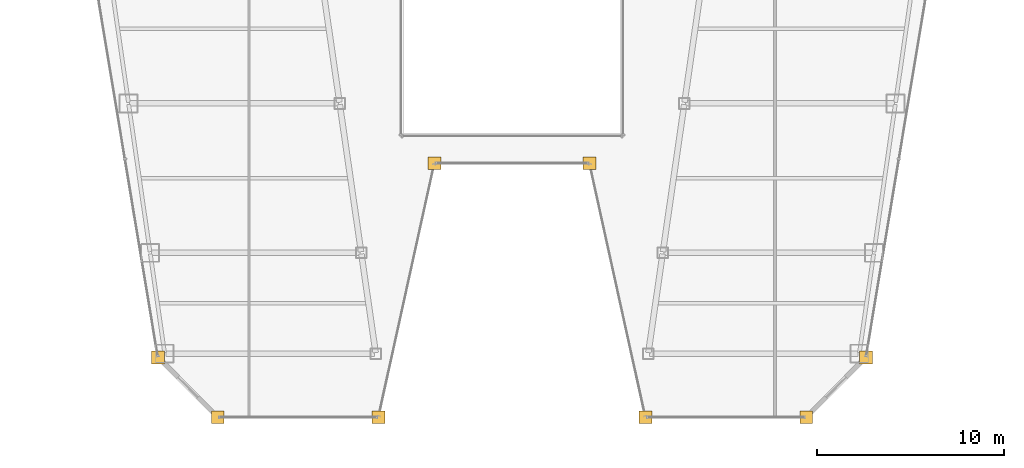
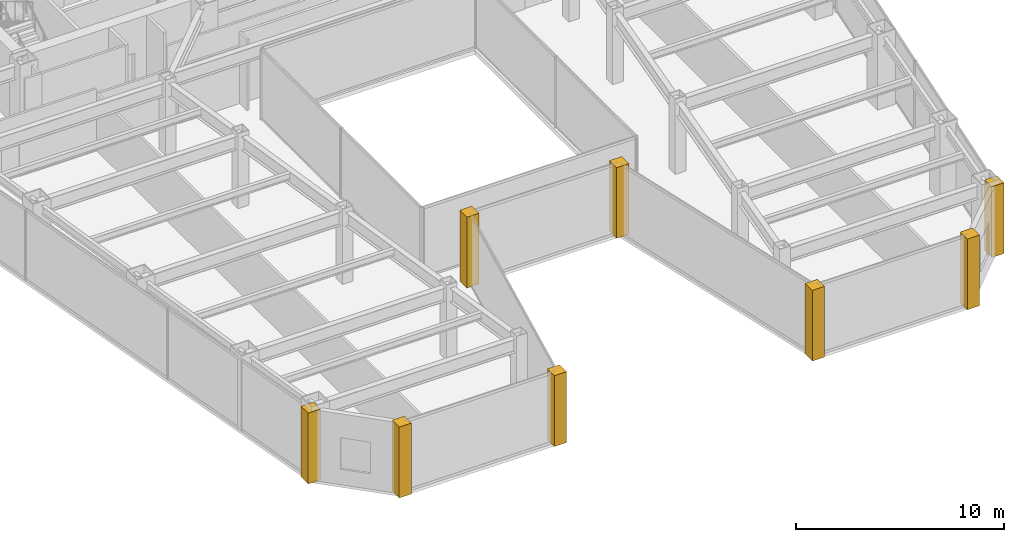
# One storey, part 35 of 37: 8 coverings.
"""IFC4 building model written with IfcOpenShell, lengths in metres."""

from ifc_helpers import new_model, si_unit, direction, frame, origin, place, context, subcontext, project, spatial, polyline, outline, extrude, material, layer, layer_set, type_object, element, save


model = new_model("IFC4")

# Units and contexts
model_context = context("Model", 3, precision=1e-05, world=origin(), true_north=direction((0.0, 1.0)))
body_context = subcontext(model_context, "Body", "Model", "MODEL_VIEW")
ifc_project = project(units=[si_unit("LENGTHUNIT", "METRE"), si_unit("AREAUNIT", "SQUARE_METRE"), si_unit("VOLUMEUNIT", "CUBIC_METRE"), si_unit("PLANEANGLEUNIT", "RADIAN"), si_unit("MASSUNIT", "GRAM", prefix="KILO")], contexts=[model_context])

# Site, building, storey
site_placement = place(None, origin())
site = spatial("IfcSite", under=ifc_project, at=site_placement, CompositionType="ELEMENT")
building_placement = place(site_placement, origin())
building = spatial("IfcBuilding", under=site, at=building_placement, Name="Saevonmaru Cultural Tower", CompositionType="ELEMENT")
storey_placement = place(building_placement, frame((0.0, 0.0, 106.0)))
storey = spatial("IfcBuildingStorey", under=building, at=storey_placement, Name="L22", CompositionType="ELEMENT", Elevation=106.0)

# Coverings
ifc_material = material(Name="Satin Bronze Anodised Aluminium", Category="aluminium")
ifc_layer = layer(ifc_material, 0.679931640625, Name="Satin Bronze Anodised Aluminium")
ifc_layer_set = layer_set([ifc_layer], Name="Satin Bronze Anodised Aluminium")
covering_type = type_object("IfcCoveringType", Name="CV-CORNER-CLAD", PredefinedType="CLADDING", material=ifc_layer_set)
covering_1_placement = place(storey_placement, origin())
element("IfcCovering", 1, at=covering_1_placement, inside=storey, type_object=covering_type, Name="L22 Tower Bronze Corner Cladding Pier 1", PredefinedType="CLADDING", context=body_context, shape_type="SweptSolid", body=[
    extrude(outline(polyline([(10.708984375, 10.06005859375), (11.388916015625, 10.06005859375), (11.388916015625, 10.739990234375), (10.708984375, 10.739990234375), (10.708984375, 10.06005859375)])), origin(), (0.0, 0.0, 1.0), 4.14990234375),
])
covering_2_placement = place(storey_placement, origin())
element("IfcCovering", 2, at=covering_2_placement, inside=storey, type_object=covering_type, Name="L22 Tower Bronze Corner Cladding Pier 2", PredefinedType="CLADDING", context=body_context, shape_type="SweptSolid", body=[
    extrude(outline(polyline([(13.908935546875, 6.860107421875), (14.589111328125, 6.860107421875), (14.589111328125, 7.5400390625), (13.908935546875, 7.5400390625), (13.908935546875, 6.860107421875)])), origin(), (0.0, 0.0, 1.0), 4.14990234375),
])
covering_3_placement = place(storey_placement, origin())
element("IfcCovering", 3, at=covering_3_placement, inside=storey, type_object=covering_type, Name="L22 Tower Bronze Corner Cladding Pier 3", PredefinedType="CLADDING", context=body_context, shape_type="SweptSolid", body=[
    extrude(outline(polyline([(22.509033203125, 6.860107421875), (23.18896484375, 6.860107421875), (23.18896484375, 7.5400390625), (22.509033203125, 7.5400390625), (22.509033203125, 6.860107421875)])), origin(), (0.0, 0.0, 1.0), 4.14990234375),
])
covering_4_placement = place(storey_placement, origin())
element("IfcCovering", 4, at=covering_4_placement, inside=storey, type_object=covering_type, Name="L22 Tower Bronze Corner Cladding Pier 4", PredefinedType="CLADDING", context=body_context, shape_type="SweptSolid", body=[
    extrude(outline(polyline([(25.509033203125, 20.4599609375), (26.18896484375, 20.4599609375), (26.18896484375, 21.139892578125), (25.509033203125, 21.139892578125), (25.509033203125, 20.4599609375)])), origin(), (0.0, 0.0, 1.0), 4.14990234375),
])
covering_5_placement = place(storey_placement, origin())
element("IfcCovering", 5, at=covering_5_placement, inside=storey, type_object=covering_type, Name="L22 Tower Bronze Corner Cladding Pier 5", PredefinedType="CLADDING", context=body_context, shape_type="SweptSolid", body=[
    extrude(outline(polyline([(33.81103515625, 20.4599609375), (34.490966796875, 20.4599609375), (34.490966796875, 21.139892578125), (33.81103515625, 21.139892578125), (33.81103515625, 20.4599609375)])), origin(), (0.0, 0.0, 1.0), 4.14990234375),
])
covering_6_placement = place(storey_placement, origin())
element("IfcCovering", 6, at=covering_6_placement, inside=storey, type_object=covering_type, Name="L22 Tower Bronze Corner Cladding Pier 6", PredefinedType="CLADDING", context=body_context, shape_type="SweptSolid", body=[
    extrude(outline(polyline([(36.81103515625, 6.860107421875), (37.490966796875, 6.860107421875), (37.490966796875, 7.5400390625), (36.81103515625, 7.5400390625), (36.81103515625, 6.860107421875)])), origin(), (0.0, 0.0, 1.0), 4.14990234375),
])
covering_7_placement = place(storey_placement, origin())
element("IfcCovering", 7, at=covering_7_placement, inside=storey, type_object=covering_type, Name="L22 Tower Bronze Corner Cladding Pier 7", PredefinedType="CLADDING", context=body_context, shape_type="SweptSolid", body=[
    extrude(outline(polyline([(45.410888671875, 6.860107421875), (46.091064453125, 6.860107421875), (46.091064453125, 7.5400390625), (45.410888671875, 7.5400390625), (45.410888671875, 6.860107421875)])), origin(), (0.0, 0.0, 1.0), 4.14990234375),
])
covering_8_placement = place(storey_placement, origin())
element("IfcCovering", 8, at=covering_8_placement, inside=storey, type_object=covering_type, Name="L22 Tower Bronze Corner Cladding Pier 8", PredefinedType="CLADDING", context=body_context, shape_type="SweptSolid", body=[
    extrude(outline(polyline([(48.611083984375, 10.06005859375), (49.291015625, 10.06005859375), (49.291015625, 10.739990234375), (48.611083984375, 10.739990234375), (48.611083984375, 10.06005859375)])), origin(), (0.0, 0.0, 1.0), 4.14990234375),
])

save(model, "model.ifc")
